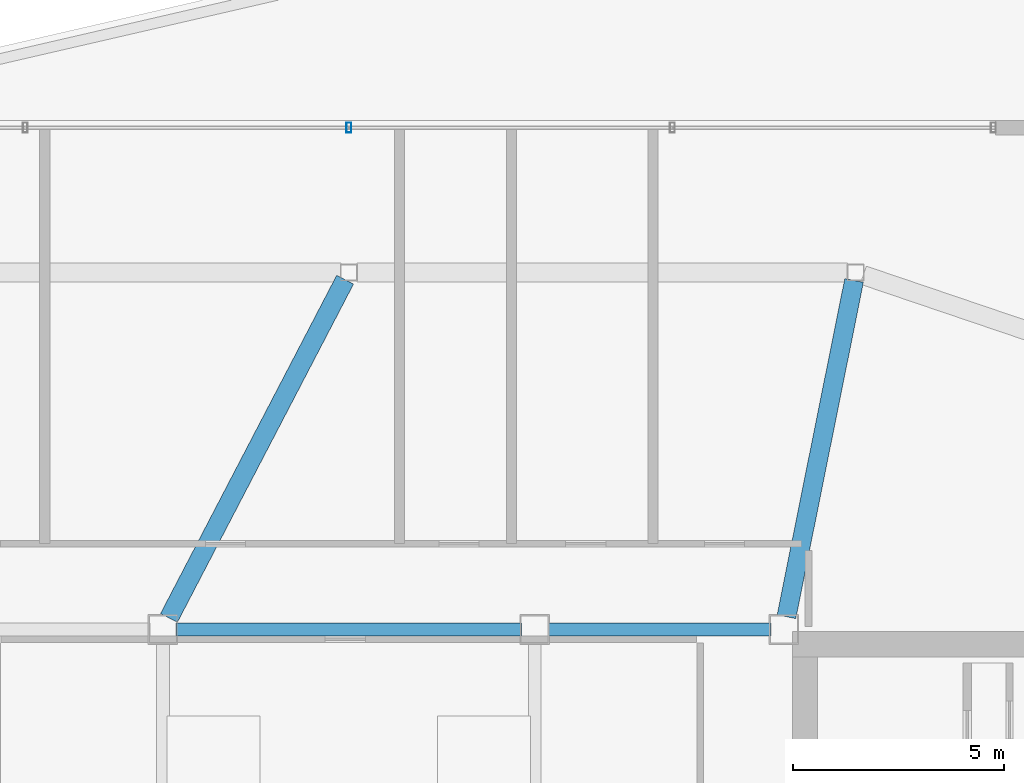
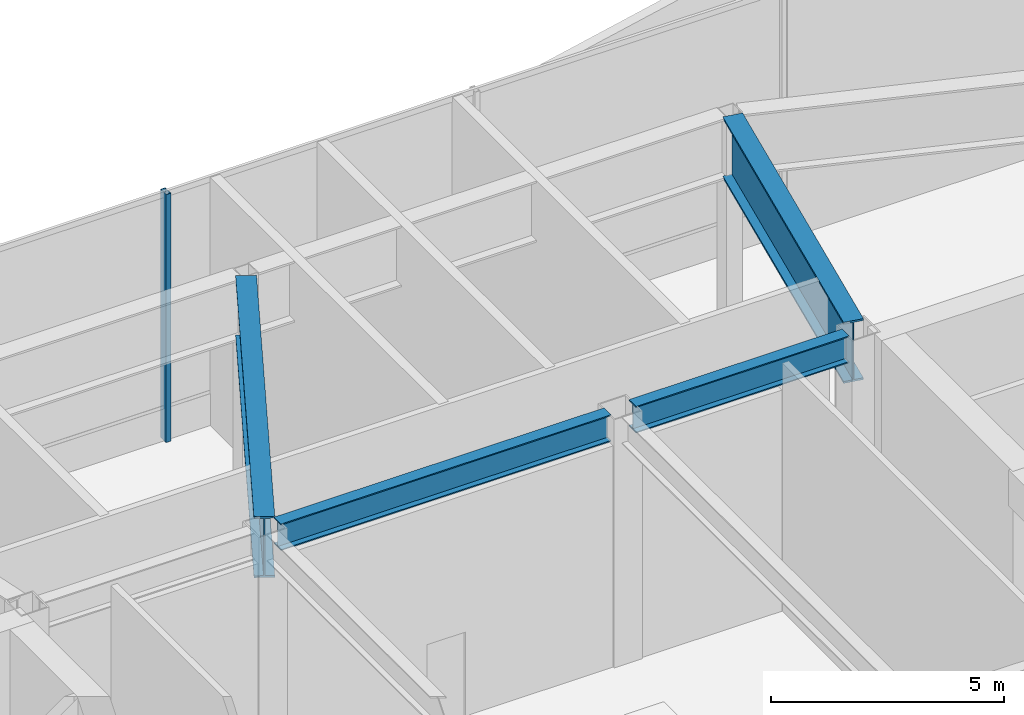
# One storey, part 14 of 25: 4 beams, 1 member, 1 element without a shape of its own.
"""IFC4 building model written with IfcOpenShell, lengths in metres."""

import ifcopenshell
import ifcopenshell.guid

model = None  # the IFC model being written
_history = None  # IfcOwnerHistory: only IFC2X3 demands one
_inside = {}  # id of a spatial element -> (the spatial element, [elements in it])
_under = {}  # id of a project, library or spatial element -> (it, [spatial elements below it])
_declared = {}  # id of a project -> (the project, [libraries it declares])
_typed = {}  # id of a type object -> (the type object, [elements of that type])
_made_of = {}  # id of a material, layer set ... -> (it, [elements and type objects made of it])


def new_model(schema):
    """Start an empty IFC model of exactly this schema.

    Asked for "IFC4X3", IfcOpenShell would pick the latest addendum, in which some entities
    have other attributes; the version numbers below select the first issue.
    IFC2X3 requires an IfcOwnerHistory on every rooted entity: one is made here for all.
    """
    global model, _history
    if schema == "IFC4X3":
        model = ifcopenshell.file(schema_version=(4, 3, 0, 0))
    else:
        model = ifcopenshell.file(schema=schema)
    _inside.clear()
    _under.clear()
    _declared.clear()
    _typed.clear()
    _made_of.clear()
    _history = None
    if model.schema == "IFC2X3":
        org = make("IfcOrganization", Name="unknown")
        user = make(
            "IfcPersonAndOrganization",
            ThePerson=make("IfcPerson", FamilyName="unknown"),
            TheOrganization=org,
        )
        app = make(
            "IfcApplication",
            ApplicationDeveloper=org,
            Version="unknown",
            ApplicationFullName="unknown",
            ApplicationIdentifier="unknown",
        )
        _history = make(
            "IfcOwnerHistory",
            OwningUser=user,
            OwningApplication=app,
            ChangeAction="ADDED",
            CreationDate=0,
        )
    return model


def make(cls, **values):
    """One entity of the class cls with the attributes given. An attribute that is None is left unset."""
    return model.create_entity(
        cls, **{name: value for name, value in values.items() if value is not None}
    )


def rooted(cls, **values):
    """An entity with a GlobalId (a new one), such as an element, a storey or a relation."""
    return make(cls, GlobalId=ifcopenshell.guid.new(), OwnerHistory=_history, **values)


def si_unit(unit_type, name, prefix=None):
    """IfcSIUnit, for example si_unit("LENGTHUNIT", "METRE", prefix="MILLI")."""
    return make("IfcSIUnit", UnitType=unit_type, Prefix=prefix, Name=name)


def assignment(units):
    """IfcUnitAssignment: the units of a project."""
    return None if units is None else make("IfcUnitAssignment", Units=units)


def point(xyz):
    """IfcCartesianPoint."""
    return None if xyz is None else make("IfcCartesianPoint", Coordinates=xyz)


def direction(xyz):
    """IfcDirection."""
    return None if xyz is None else make("IfcDirection", DirectionRatios=xyz)


def frame(location, z_axis=None, x_axis=None):
    """IfcAxis2Placement3D, a coordinate frame: its origin and axes. An axis left out is left unset."""
    return make(
        "IfcAxis2Placement3D",
        Location=point(location),
        Axis=direction(z_axis),
        RefDirection=direction(x_axis),
    )


def frame_2d(location, x_axis=None):
    """IfcAxis2Placement2D, a coordinate frame in the plane: its origin and x axis."""
    return make(
        "IfcAxis2Placement2D", Location=point(location), RefDirection=direction(x_axis)
    )


def origin():
    """The frame at (0, 0, 0) with its axes left unset."""
    return frame((0.0, 0.0, 0.0))


def origin_2d():
    """The frame at (0, 0) in the plane with its x axis left unset."""
    return frame_2d((0.0, 0.0))


def place(relative_to, where):
    """IfcLocalPlacement: puts the frame where relative to a parent placement (None: the world)."""
    return make(
        "IfcLocalPlacement", PlacementRelTo=relative_to, RelativePlacement=where
    )


def context(
    kind, dimensions, precision=None, world=None, true_north=None, identifier=None
):
    """IfcGeometricRepresentationContext, for example the 3D "Model" context."""
    return make(
        "IfcGeometricRepresentationContext",
        ContextIdentifier=identifier,
        ContextType=kind,
        CoordinateSpaceDimension=dimensions,
        Precision=precision,
        WorldCoordinateSystem=world,
        TrueNorth=true_north,
    )


def subcontext(parent, identifier, kind, view, scale=None):
    """IfcGeometricRepresentationSubContext, for example "Body" below "Model"."""
    return make(
        "IfcGeometricRepresentationSubContext",
        ContextIdentifier=identifier,
        ContextType=kind,
        ParentContext=parent,
        TargetScale=scale,
        TargetView=view,
    )


def project(units=None, contexts=None):
    """IfcProject with its units and contexts."""
    return rooted(
        "IfcProject",
        Name="project",
        RepresentationContexts=contexts,
        UnitsInContext=assignment(units),
    )


def spatial(cls, under=None, at=None, **own):
    """A site, building, storey or space (cls), placed at a placement, below another one or the project."""
    s = rooted(cls, ObjectPlacement=at, **own)
    if under is not None:
        _under.setdefault(under.id(), (under, []))[1].append(s)
    return s


def profile(cls, at=None, kind="AREA", **sizes):
    """A parametric profile (cls). Its sizes go by their IFC names, for example OverallWidth=200.0."""
    return make(cls, ProfileType=kind, Position=at, **sizes)


def hollow_rectangle(**sizes):
    """IfcRectangleHollowProfileDef."""
    return profile("IfcRectangleHollowProfileDef", **sizes)


def i_section(**sizes):
    """IfcIShapeProfileDef."""
    return profile("IfcIShapeProfileDef", **sizes)


def extrude(swept, where, along, depth):
    """IfcExtrudedAreaSolid: the profile swept, set in the frame where, extruded along a direction by depth."""
    return make(
        "IfcExtrudedAreaSolid",
        SweptArea=swept,
        Position=where,
        ExtrudedDirection=direction(along),
        Depth=depth,
    )


def shape(context_of_items, identifier, shape_type, items):
    """IfcShapeRepresentation: the items that make up one representation, for example the "Body"."""
    return make(
        "IfcShapeRepresentation",
        ContextOfItems=context_of_items,
        RepresentationIdentifier=identifier,
        RepresentationType=shape_type,
        Items=items,
    )


def material(Name=None, Category=None):
    """IfcMaterial."""
    return make("IfcMaterial", Name=Name, Category=Category)


def layer(
    of_material, thickness, ventilated=None, Name=None, Category=None, Priority=None
):
    """IfcMaterialLayer: one layer of a wall or slab, of a material (None: an air gap)."""
    return make(
        "IfcMaterialLayer",
        Material=of_material,
        LayerThickness=thickness,
        IsVentilated=ventilated,
        Name=Name,
        Category=Category,
        Priority=Priority,
    )


def layer_set(layers, Name=None):
    """IfcMaterialLayerSet."""
    return make("IfcMaterialLayerSet", MaterialLayers=layers, LayerSetName=Name)


def material_profile(
    of_material, cross_section, Name=None, Category=None, Priority=None
):
    """IfcMaterialProfile: a cross section and its material."""
    return make(
        "IfcMaterialProfile",
        Name=Name,
        Material=of_material,
        Profile=cross_section,
        Priority=Priority,
        Category=Category,
    )


def profile_set(profiles, Name=None, composite=None):
    """IfcMaterialProfileSet."""
    return make(
        "IfcMaterialProfileSet",
        Name=Name,
        MaterialProfiles=profiles,
        CompositeProfile=composite,
    )


def made_of(thing, what):
    """Note that an element or type object is made of a material, layer set ...; save() writes the relation."""
    if what is not None:
        _made_of.setdefault(what.id(), (what, []))[1].append(thing)
    return thing


def type_object(cls, material=None, **own):
    """A type object (cls), such as IfcWallType, which elements share."""
    return made_of(rooted(cls, **own), material)


def element(
    cls,
    number,
    at=None,
    inside=None,
    cuts=None,
    type_object=None,
    material=None,
    context=None,
    identifier="Body",
    shape_type=None,
    held_by="IfcProductDefinitionShape",
    body=None,
    shapes=None,
    **own,
):
    """One element of the class cls, such as IfcWall. Its Tag is "e" and its number.

    at: its placement. inside: the storey or other place that contains it. cuts: it is an
    opening in that element (IfcRelVoidsElement). A single representation is given by context,
    identifier, shape_type and body (its items); several are given by shapes. held_by: the class
    of the entity that holds the representations. save() writes the other relations.
    """
    e = rooted(cls, Tag="e%d" % number, ObjectPlacement=at, **own)
    if body is not None:
        shapes = [shape(context, identifier, shape_type, body)]
    if shapes is not None:
        e.Representation = make(held_by, Representations=shapes)
    if inside is not None:
        _inside.setdefault(inside.id(), (inside, []))[1].append(e)
    if cuts is not None:
        rooted(
            "IfcRelVoidsElement", RelatingBuildingElement=cuts, RelatedOpeningElement=e
        )
    if type_object is not None:
        _typed.setdefault(type_object.id(), (type_object, []))[1].append(e)
    return made_of(e, material)


def aggregate(whole, parts):
    """IfcRelAggregates: a whole, such as a stair, and the parts it consists of."""
    return rooted("IfcRelAggregates", RelatingObject=whole, RelatedObjects=parts)


def save(model, path):
    """Write the relations noted so far, then the file.

    IfcRelAggregates (storeys below a building ...), IfcRelContainedInSpatialStructure (elements
    in a storey), IfcRelDefinesByType, IfcRelAssociatesMaterial and IfcRelDeclares: one each for
    every whole, place, type object, material and project.
    """
    for whole, parts in _under.values():
        aggregate(whole, parts)
    for where, things in _inside.values():
        rooted(
            "IfcRelContainedInSpatialStructure",
            RelatedElements=things,
            RelatingStructure=where,
        )
    for kind, things in _typed.values():
        rooted("IfcRelDefinesByType", RelatedObjects=things, RelatingType=kind)
    for what, things in _made_of.values():
        rooted("IfcRelAssociatesMaterial", RelatedObjects=things, RelatingMaterial=what)
    for by, libraries in _declared.values():
        rooted("IfcRelDeclares", RelatingContext=by, RelatedDefinitions=libraries)
    model.write(path)


model = new_model("IFC4")

# Units and contexts
model_context = context("Model", 3, precision=1e-05, world=origin(), true_north=direction((0.0, 1.0)))
body_context = subcontext(model_context, "Body", "Model", "MODEL_VIEW")
ifc_project = project(units=[si_unit("LENGTHUNIT", "METRE"), si_unit("AREAUNIT", "SQUARE_METRE"), si_unit("VOLUMEUNIT", "CUBIC_METRE"), si_unit("PLANEANGLEUNIT", "RADIAN"), si_unit("MASSUNIT", "GRAM", prefix="KILO")], contexts=[model_context])

# Site, building, storey
site_placement = place(None, origin())
site = spatial("IfcSite", under=ifc_project, at=site_placement, CompositionType="ELEMENT")
building_placement = place(site_placement, origin())
building = spatial("IfcBuilding", under=site, at=building_placement, Name="Tavrogorsk Clinical Tower", CompositionType="ELEMENT")
storey_placement = place(building_placement, frame((0.0, 0.0, 333.0)))
storey = spatial("IfcBuildingStorey", under=building, at=storey_placement, Name="L78", CompositionType="ELEMENT", Elevation=333.0)

# Curtain wall, member
ifc_material_1 = material(Name="Anodised aluminium and triple IGU glazing", Category="aluminium")
ifc_layer = layer(ifc_material_1, 0.179931640625)
ifc_layer_set = layer_set([ifc_layer], Name="Anodised aluminium and triple IGU glazing")
curtain_wall_type = type_object("IfcCurtainWallType", Name="CW6_TmdLantern", PredefinedType="NOTDEFINED", material=ifc_layer_set)
curtain_wall_placement = place(storey_placement, origin())
curtain_wall = element("IfcCurtainWall", 1, at=curtain_wall_placement, inside=storey, type_object=curtain_wall_type, Name="L78 Curtain Wall CW-L78-TMD-4", PredefinedType="NOTDEFINED")
ifc_material_2 = material(Name="Anodised aluminium alloy AW-6060", Category="aluminium")
ifc_material_profile_1 = material_profile(ifc_material_2, hollow_rectangle(XDim=0.1201171875, YDim=0.239990234375, WallThickness=0.008056640625, at=origin_2d()), Name="RHS-240x120x8")
ifc_profile_set_1 = profile_set([ifc_material_profile_1], Name="Anodised aluminium alloy AW-6060")
member_type = type_object("IfcMemberType", Name="CwMullion_240x120", PredefinedType="MULLION", material=ifc_profile_set_1)
member_placement = place(storey_placement, frame((0.00048828125, 18.22998046875, 0.0), z_axis=(0.0, 0.0, 1.0), x_axis=(1.0, 0.0, 0.0)))
member = element("IfcMember", 2, at=member_placement, type_object=member_type, Name="CW-L78-TMD-4 Mullion 3", PredefinedType="MULLION", context=body_context, shape_type="SweptSolid", body=[
    extrude(hollow_rectangle(XDim=0.1201171875, YDim=0.239990234375, WallThickness=0.008056640625, at=origin_2d()), origin(), (0.0, 0.0, 1.0), 6.5),
])
aggregate(curtain_wall, [member])

# Beams
ifc_material_3 = material(Name="Structural steel S390", Category="steel")
ifc_material_profile_2 = material_profile(ifc_material_3, i_section(OverallWidth=0.300048828125, OverallDepth=0.699951171875, WebThickness=0.01708984375, FlangeThickness=0.028076171875, at=origin_2d()), Name="B-700x300x17x28")
ifc_profile_set_2 = profile_set([ifc_material_profile_2], Name="Structural steel S390")
beam_type_1 = type_object("IfcBeamType", Name="PrimaryGirder_B700", PredefinedType="USERDEFINED", material=ifc_profile_set_2)
beam_1_placement = place(storey_placement, frame((-4.090087890625, 6.35009765625, 6.14990234375), z_axis=(1.0, 0.0, 0.0), x_axis=(0.0, 1.0, 0.0)))
element("IfcBeam", 3, at=beam_1_placement, inside=storey, type_object=beam_type_1, Name="L78 Primary Spine Girder MG-04", ObjectType="GIRDER", PredefinedType="USERDEFINED", context=body_context, shape_type="SweptSolid", body=[
    extrude(i_section(OverallWidth=0.300048828125, OverallDepth=0.699951171875, WebThickness=0.01708984375, FlangeThickness=0.028076171875, at=origin_2d()), origin(), (0.0, 0.0, 1.0), 8.18017578125),
])
beam_2_placement = place(storey_placement, frame((4.7099609375, 6.35009765625, 6.14990234375), z_axis=(1.0, 0.0, 0.0), x_axis=(0.0, 1.0, 0.0)))
element("IfcBeam", 4, at=beam_2_placement, inside=storey, type_object=beam_type_1, Name="L78 Primary Spine Girder MG-06", ObjectType="GIRDER", PredefinedType="USERDEFINED", context=body_context, shape_type="SweptSolid", body=[
    extrude(i_section(OverallWidth=0.300048828125, OverallDepth=0.699951171875, WebThickness=0.01708984375, FlangeThickness=0.028076171875, at=origin_2d()), origin(), (0.0, 0.0, 1.0), 5.280029296875),
])
ifc_material_4 = material(Name="Structural steel S440", Category="steel")
ifc_material_profile_3 = material_profile(ifc_material_4, i_section(OverallWidth=0.449951171875, OverallDepth=1.60009765625, WebThickness=0.031982421875, FlangeThickness=0.050048828125, at=origin_2d()), Name="DK-1600x450x32x50")
ifc_profile_set_3 = profile_set([ifc_material_profile_3], Name="Structural steel S440")
beam_type_2 = type_object("IfcBeamType", Name="TransferGirder_DK1600", PredefinedType="USERDEFINED", material=ifc_profile_set_3)
beam_3_placement = place(storey_placement, frame((10.361083984375, 6.65380859375, 5.699951171875), z_axis=(0.197249355273, 0.980353350504, 0.0), x_axis=(-0.980353350504, 0.197249355273, 0.0)))
element("IfcBeam", 5, at=beam_3_placement, inside=storey, type_object=beam_type_2, Name="L78 Crown Radial Beam 06", ObjectType="GIRDER", PredefinedType="USERDEFINED", context=body_context, shape_type="SweptSolid", body=[
    extrude(i_section(OverallWidth=0.449951171875, OverallDepth=1.60009765625, WebThickness=0.031982421875, FlangeThickness=0.050048828125, at=origin_2d()), origin(), (0.0, 0.0, 1.0), 8.119384765625),
])
beam_4_placement = place(storey_placement, frame((-4.2568359375, 6.625, 5.699951171875), z_axis=(0.461855081218, 0.886955401332, 0.0), x_axis=(-0.886955401332, 0.461855081218, 0.0)))
element("IfcBeam", 6, at=beam_4_placement, inside=storey, type_object=beam_type_2, Name="L78 Crown Radial Beam 07", ObjectType="GIRDER", PredefinedType="USERDEFINED", context=body_context, shape_type="SweptSolid", body=[
    extrude(i_section(OverallWidth=0.449951171875, OverallDepth=1.60009765625, WebThickness=0.031982421875, FlangeThickness=0.050048828125, at=origin_2d()), origin(), (0.0, 0.0, 1.0), 9.027099609375),
])

save(model, "model.ifc")
